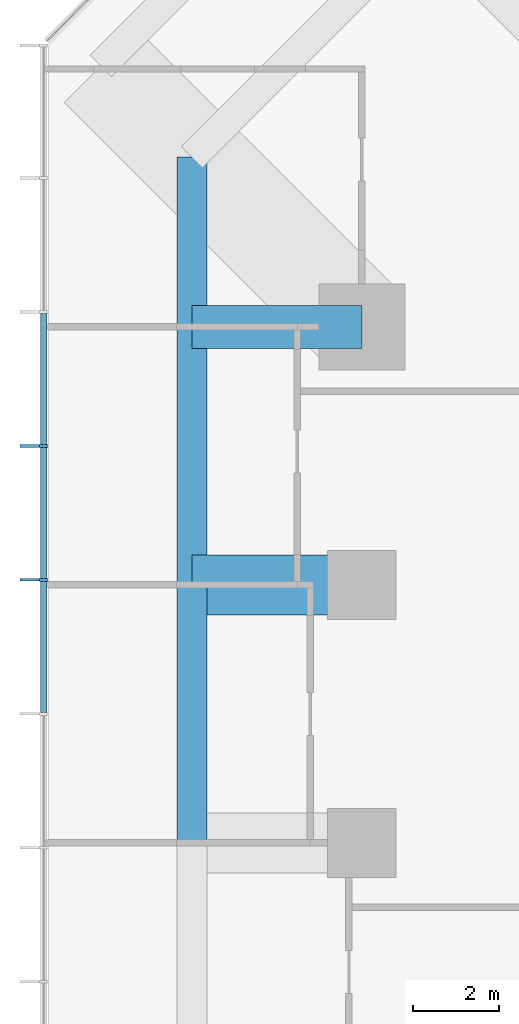
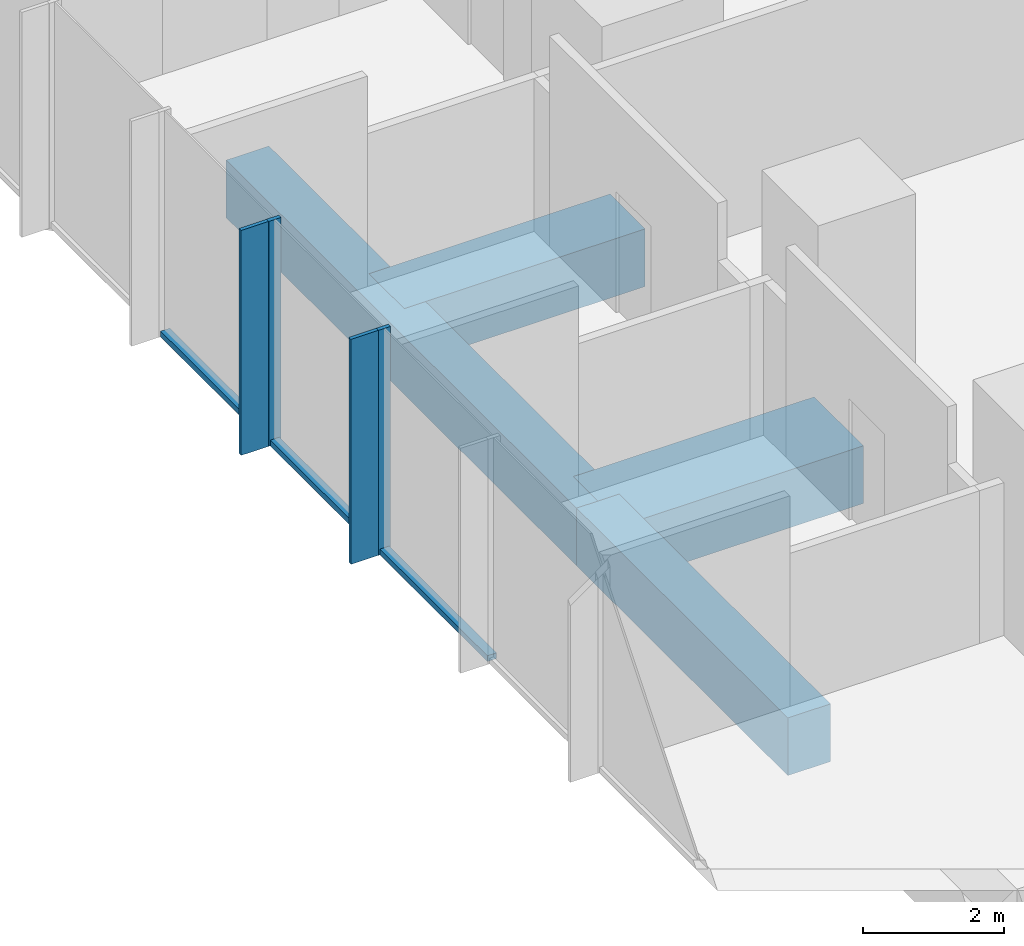
# One storey, part 3 of 11: 7 members, 4 beams, 1 element without a shape of its own.
"""IFC4 building model written with IfcOpenShell, lengths in metres."""

from ifc_helpers import new_model, si_unit, direction, frame, origin, origin_2d, place, context, subcontext, project, spatial, rectangle, extrude, material, layer, layer_set, material_profile, profile_set, type_object, element, aggregate, save


model = new_model("IFC4")

# Units and contexts
model_context = context("Model", 3, precision=1e-05, world=origin(), true_north=direction((0.0, 1.0)))
body_context = subcontext(model_context, "Body", "Model", "MODEL_VIEW")
ifc_project = project(units=[si_unit("LENGTHUNIT", "METRE"), si_unit("AREAUNIT", "SQUARE_METRE"), si_unit("VOLUMEUNIT", "CUBIC_METRE"), si_unit("PLANEANGLEUNIT", "RADIAN"), si_unit("MASSUNIT", "GRAM", prefix="KILO")], contexts=[model_context])

# Site, building, storey
site_placement = place(None, origin())
site = spatial("IfcSite", under=ifc_project, at=site_placement, CompositionType="ELEMENT")
building_placement = place(site_placement, origin())
building = spatial("IfcBuilding", under=site, at=building_placement, Name="Highveld Stack Headquarters", CompositionType="ELEMENT")
storey_placement = place(building_placement, frame((0.0, 0.0, 97.699951171875)))
storey = spatial("IfcBuildingStorey", under=building, at=storey_placement, Name="L23", CompositionType="ELEMENT", Elevation=97.699951171875)

# Beams
ifc_material_1 = material(Name="Concrete C60/75", Category="concrete")
ifc_material_profile_1 = material_profile(ifc_material_1, rectangle(XDim=1.0, YDim=1.0, at=origin_2d()), Name="RC 1000x1000")
ifc_profile_set_1 = profile_set([ifc_material_profile_1], Name="Concrete C60/75")
beam_type_1 = type_object("IfcBeamType", Name="CANTILEVER RIB RC 1000x1000", PredefinedType="USERDEFINED", material=ifc_profile_set_1)
beam_1_placement = place(storey_placement, frame((-18.0, 18.0, -0.75), z_axis=(-1.0, 0.0, 0.0), x_axis=(0.0, -1.0, 0.0)))
element("IfcBeam", 1, at=beam_1_placement, inside=storey, type_object=beam_type_1, Name="Cantilever rib 3/H L23", ObjectType="CANTILEVER RIB", PredefinedType="USERDEFINED", context=body_context, shape_type="SweptSolid", body=[
    extrude(rectangle(XDim=1.0, YDim=1.0, at=origin_2d()), origin(), (0.0, 0.0, 1.0), 3.949951171875),
])
ifc_material_2 = material(Name="Concrete C60/75", Category="concrete")
ifc_material_profile_2 = material_profile(ifc_material_2, rectangle(XDim=1.39990234375, YDim=1.0, at=origin_2d()), Name="RC 1400x1000")
ifc_profile_set_2 = profile_set([ifc_material_profile_2], Name="Concrete C60/75")
beam_type_2 = type_object("IfcBeamType", Name="CANTILEVER RIB RC 1400x1000", PredefinedType="USERDEFINED", material=ifc_profile_set_2)
beam_2_placement = place(storey_placement, frame((-18.0, 12.0, -0.75), z_axis=(-1.0, 0.0, 0.0), x_axis=(0.0, -1.0, 0.0)))
element("IfcBeam", 2, at=beam_2_placement, inside=storey, type_object=beam_type_2, Name="Cantilever rib 3/G L23", ObjectType="CANTILEVER RIB", PredefinedType="USERDEFINED", context=body_context, shape_type="SweptSolid", body=[
    extrude(rectangle(XDim=1.39990234375, YDim=1.0, at=origin_2d()), origin(), (0.0, 0.0, 1.0), 3.949951171875),
])

# Curtain wall, members
ifc_material_3 = material(Name="Aluminium bronze anodised", Category="aluminium")
ifc_layer = layer(ifc_material_3, 0.199951171875)
ifc_layer_set = layer_set([ifc_layer], Name="Aluminium bronze anodised")
curtain_wall_type = type_object("IfcCurtainWallType", Name="CW1 TOWER UNITISED CURTAIN WALL", PredefinedType="NOTDEFINED", material=ifc_layer_set)
curtain_wall_placement = place(storey_placement, origin())
curtain_wall = element("IfcCurtainWall", 3, at=curtain_wall_placement, inside=storey, type_object=curtain_wall_type, Name="Curtain wall CW1 L23 W", PredefinedType="NOTDEFINED")
ifc_material_4 = material(Name="Aluminium bronze anodised", Category="aluminium")
ifc_material_profile_3 = material_profile(ifc_material_4, rectangle(XDim=0.449951171875, YDim=0.06005859375, at=origin_2d()), Name="FIN 450x60")
ifc_profile_set_3 = profile_set([ifc_material_profile_3], Name="Aluminium bronze anodised")
member_type_1 = type_object("IfcMemberType", Name="CW1 BRONZE FIN 450x60", PredefinedType="USERDEFINED", material=ifc_profile_set_3)
member_1_placement = place(storey_placement, frame((-25.72509765625, 15.23193359375, 0.0), z_axis=(0.0, 0.0, 1.0), x_axis=(1.0, 0.0, 0.0)))
member_1 = element("IfcMember", 4, at=member_1_placement, type_object=member_type_1, Name="CW1 fin L23 4", ObjectType="FIN", PredefinedType="USERDEFINED", context=body_context, shape_type="SweptSolid", body=[
    extrude(rectangle(XDim=0.449951171875, YDim=0.06005859375, at=origin_2d()), origin(), (0.0, 0.0, 1.0), 3.900146484375),
])
member_2_placement = place(storey_placement, frame((-25.72509765625, 12.115966796875, 0.0), z_axis=(0.0, 0.0, 1.0), x_axis=(1.0, 0.0, 0.0)))
member_2 = element("IfcMember", 5, at=member_2_placement, type_object=member_type_1, Name="CW1 fin L23 5", ObjectType="FIN", PredefinedType="USERDEFINED", context=body_context, shape_type="SweptSolid", body=[
    extrude(rectangle(XDim=0.449951171875, YDim=0.06005859375, at=origin_2d()), origin(), (0.0, 0.0, 1.0), 3.900146484375),
])
ifc_material_5 = material(Name="Aluminium bronze anodised", Category="aluminium")
ifc_material_profile_4 = material_profile(ifc_material_5, rectangle(XDim=0.199951171875, YDim=0.06494140625, at=origin_2d()), Name="CW1 MULLION 65x200")
ifc_profile_set_4 = profile_set([ifc_material_profile_4], Name="Aluminium bronze anodised")
member_type_2 = type_object("IfcMemberType", Name="CW1 MULLION 65x200", PredefinedType="MULLION", material=ifc_profile_set_4)
member_3_placement = place(storey_placement, frame((-25.39990234375, 15.23193359375, 0.0), z_axis=(0.0, 0.0, 1.0), x_axis=(1.0, 0.0, 0.0)))
member_3 = element("IfcMember", 6, at=member_3_placement, type_object=member_type_2, Name="CW1 mullion L23 4", PredefinedType="MULLION", context=body_context, shape_type="SweptSolid", body=[
    extrude(rectangle(XDim=0.199951171875, YDim=0.06494140625, at=origin_2d()), origin(), (0.0, 0.0, 1.0), 3.900146484375),
])
member_4_placement = place(storey_placement, frame((-25.39990234375, 12.115966796875, 0.0), z_axis=(0.0, 0.0, 1.0), x_axis=(1.0, 0.0, 0.0)))
member_4 = element("IfcMember", 7, at=member_4_placement, type_object=member_type_2, Name="CW1 mullion L23 5", PredefinedType="MULLION", context=body_context, shape_type="SweptSolid", body=[
    extrude(rectangle(XDim=0.199951171875, YDim=0.06494140625, at=origin_2d()), origin(), (0.0, 0.0, 1.0), 3.900146484375),
])
ifc_material_6 = material(Name="Aluminium bronze anodised", Category="aluminium")
ifc_material_profile_5 = material_profile(ifc_material_6, rectangle(XDim=0.14990234375, YDim=0.10009765625, at=origin_2d()), Name="CW1 TRANSOM 150x100")
ifc_profile_set_5 = profile_set([ifc_material_profile_5], Name="Aluminium bronze anodised")
member_type_3 = type_object("IfcMemberType", Name="CW1 STACK TRANSOM 150x100", PredefinedType="USERDEFINED", material=ifc_profile_set_5)
member_5_placement = place(storey_placement, frame((-25.39990234375, 18.3154296875, 0.050048828125), z_axis=(0.0, -1.0, 0.0), x_axis=(1.0, 0.0, 0.0)))
member_5 = element("IfcMember", 8, at=member_5_placement, type_object=member_type_3, Name="CW1 transom L23 3.1", ObjectType="TRANSOM", PredefinedType="USERDEFINED", context=body_context, shape_type="SweptSolid", body=[
    extrude(rectangle(XDim=0.14990234375, YDim=0.10009765625, at=origin_2d()), origin(), (0.0, 0.0, 1.0), 3.051025390625),
])
member_6_placement = place(storey_placement, frame((-25.39990234375, 15.199462890625, 0.050048828125), z_axis=(0.0, -1.0, 0.0), x_axis=(1.0, 0.0, 0.0)))
member_6 = element("IfcMember", 9, at=member_6_placement, type_object=member_type_3, Name="CW1 transom L23 4.1", ObjectType="TRANSOM", PredefinedType="USERDEFINED", context=body_context, shape_type="SweptSolid", body=[
    extrude(rectangle(XDim=0.14990234375, YDim=0.10009765625, at=origin_2d()), origin(), (0.0, 0.0, 1.0), 3.051025390625),
])
member_7_placement = place(storey_placement, frame((-25.39990234375, 12.08349609375, 0.050048828125), z_axis=(0.0, -1.0, 0.0), x_axis=(1.0, 0.0, 0.0)))
member_7 = element("IfcMember", 10, at=member_7_placement, type_object=member_type_3, Name="CW1 transom L23 5.1", ObjectType="TRANSOM", PredefinedType="USERDEFINED", context=body_context, shape_type="SweptSolid", body=[
    extrude(rectangle(XDim=0.14990234375, YDim=0.10009765625, at=origin_2d()), origin(), (0.0, 0.0, 1.0), 3.051025390625),
])
aggregate(curtain_wall, [member_3, member_1, member_4, member_2, member_5, member_6, member_7])

# Beams
ifc_material_7 = material(Name="Concrete C60/75", Category="concrete")
ifc_material_profile_6 = material_profile(ifc_material_7, rectangle(XDim=0.699951171875, YDim=1.0, at=origin_2d()), Name="RC 700x1000")
ifc_profile_set_6 = profile_set([ifc_material_profile_6], Name="Concrete C60/75")
beam_type_3 = type_object("IfcBeamType", Name="RIB TIP BEAM RC 700x1000", PredefinedType="SPANDREL", material=ifc_profile_set_6)
beam_3_placement = place(storey_placement, frame((-21.949951171875, 6.0, -0.75), z_axis=(0.0, 1.0, 0.0), x_axis=(-1.0, 0.0, 0.0)))
element("IfcBeam", 11, at=beam_3_placement, inside=storey, type_object=beam_type_3, Name="Rib tip beam 3/F to 3/G L23", PredefinedType="SPANDREL", context=body_context, shape_type="SweptSolid", body=[
    extrude(rectangle(XDim=0.699951171875, YDim=1.0, at=origin_2d()), origin(), (0.0, 0.0, 1.0), 6.0),
])
beam_4_placement = place(storey_placement, frame((-21.949951171875, 12.0, -0.75), z_axis=(0.0, 1.0, 0.0), x_axis=(-1.0, 0.0, 0.0)))
element("IfcBeam", 12, at=beam_4_placement, inside=storey, type_object=beam_type_3, Name="Rib tip beam 3/G to 3/H L23", PredefinedType="SPANDREL", context=body_context, shape_type="SweptSolid", body=[
    extrude(rectangle(XDim=0.699951171875, YDim=1.0, at=origin_2d()), origin(), (0.0, 0.0, 1.0), 9.949951171875),
])

save(model, "model.ifc")
